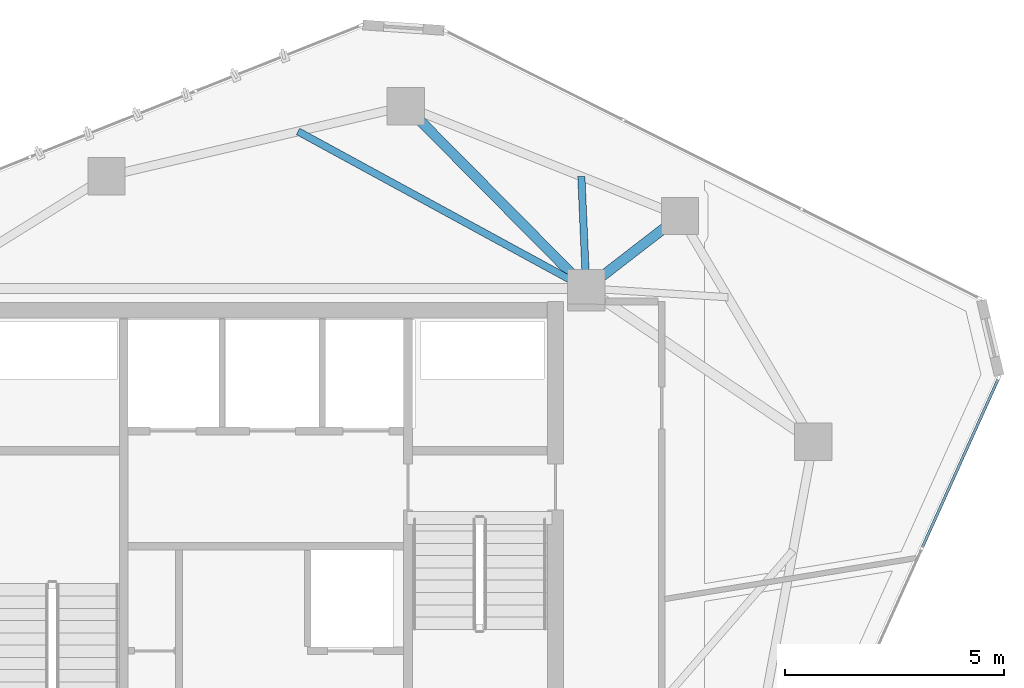
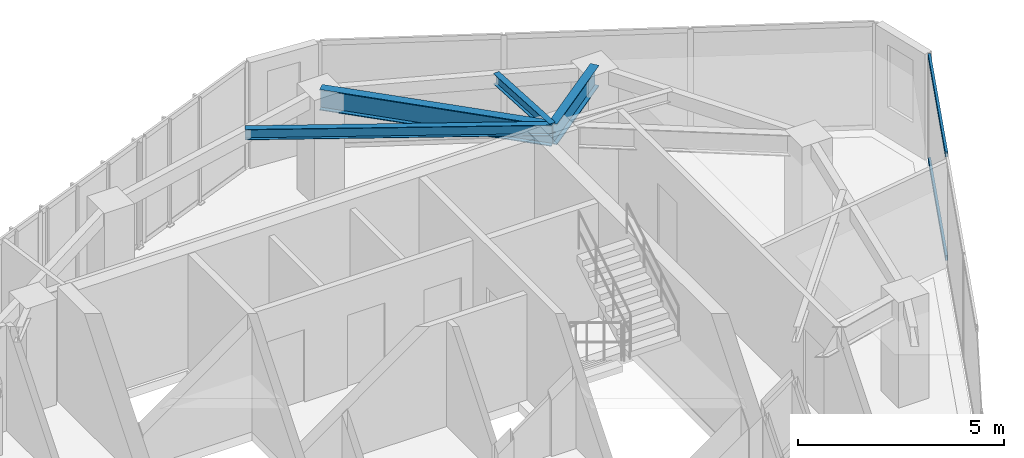
# One storey, part 13 of 20: 4 beams, 2 members, 1 element without a shape of its own.
"""IFC4 building model written with IfcOpenShell, lengths in metres."""

from ifc_helpers import new_model, si_unit, direction, frame, origin, origin_2d, place, context, subcontext, project, spatial, hollow_rectangle, i_section, extrude, source, transform, mapped, material, layer, layer_set, material_profile, profile_set, type_object, type_shapes, element, aggregate, save


model = new_model("IFC4")

# Units and contexts
model_context = context("Model", 3, precision=1e-05, world=origin(), true_north=direction((0.0, 1.0)))
body_context = subcontext(model_context, "Body", "Model", "MODEL_VIEW")
ifc_project = project(units=[si_unit("LENGTHUNIT", "METRE"), si_unit("AREAUNIT", "SQUARE_METRE"), si_unit("VOLUMEUNIT", "CUBIC_METRE"), si_unit("PLANEANGLEUNIT", "RADIAN"), si_unit("MASSUNIT", "GRAM", prefix="KILO")], contexts=[model_context])

# Site, building, storey
site_placement = place(None, origin())
site = spatial("IfcSite", under=ifc_project, at=site_placement, CompositionType="ELEMENT")
building_placement = place(site_placement, origin())
building = spatial("IfcBuilding", under=site, at=building_placement, Name="Talar Marvaseh", CompositionType="ELEMENT")
storey_placement = place(building_placement, frame((0.0, 0.0, 278.199951171875)))
storey = spatial("IfcBuildingStorey", under=building, at=storey_placement, Name="L74", CompositionType="ELEMENT", Elevation=278.199951171875)

# Beams
ifc_material_1 = material(Name="Steel S355", Category="steel")
ifc_material_profile_1 = material_profile(ifc_material_1, i_section(OverallWidth=0.166015625, OverallDepth=0.31298828125, WebThickness=0.006591796875, FlangeThickness=0.01123046875, at=origin_2d()), Name="W310x45")
ifc_profile_set_1 = profile_set([ifc_material_profile_1], Name="Steel S355")
beam_type_1 = type_object("IfcBeamType", Name="Zone 3 Secondary Floor Joist W310x45", PredefinedType="JOIST", material=ifc_profile_set_1)
beam_1_placement = place(storey_placement, frame((26.731689453125, 40.476806640625, 2.983642578125), z_axis=(0.878223458764, -0.478250516442, 0.0), x_axis=(0.478250516442, 0.878223458764, 0.0)))
element("IfcBeam", 1, at=beam_1_placement, inside=storey, type_object=beam_type_1, Name="L74 Zone 3 Secondary Floor Joist W310x45", PredefinedType="JOIST", context=body_context, shape_type="SweptSolid", body=[
    extrude(i_section(OverallWidth=0.166015625, OverallDepth=0.31298828125, WebThickness=0.006591796875, FlangeThickness=0.01123046875, at=origin_2d()), origin(), (0.0, 0.0, 1.0), 7.479248046875),
])
beam_2_placement = place(storey_placement, frame((33.18798828125, 39.451416015625, 2.983642578125), z_axis=(0.043876945448, -0.99903694309, 0.0), x_axis=(0.99903694309, 0.043876945448, 0.0)))
element("IfcBeam", 2, at=beam_2_placement, inside=storey, type_object=beam_type_1, Name="L74 Zone 3 Secondary Floor Joist W310x45", PredefinedType="JOIST", context=body_context, shape_type="SweptSolid", body=[
    extrude(i_section(OverallWidth=0.166015625, OverallDepth=0.31298828125, WebThickness=0.006591796875, FlangeThickness=0.01123046875, at=origin_2d()), origin(), (0.0, 0.0, 1.0), 2.553955078125),
])
ifc_material_profile_2 = material_profile(ifc_material_1, i_section(OverallWidth=0.22998046875, OverallDepth=0.616943359375, WebThickness=0.01318359375, FlangeThickness=0.022216796875, at=origin_2d()), Name="W610x140")
ifc_profile_set_2 = profile_set([ifc_material_profile_2], Name="Steel S355")
beam_type_2 = type_object("IfcBeamType", Name="Zone 4 Radial Floor Girder W610x140", PredefinedType="BEAM", material=ifc_profile_set_2)
beam_3_placement = place(storey_placement, frame((29.18798828125, 41.052001953125, 2.83154296875), z_axis=(0.703672658083, -0.710524306598, 0.0), x_axis=(0.710524306598, 0.703672658083, 0.0)))
element("IfcBeam", 3, at=beam_3_placement, inside=storey, type_object=beam_type_2, Name="L74 Zone 4 Radial Floor Girder W610x140", PredefinedType="BEAM", context=body_context, shape_type="SweptSolid", body=[
    extrude(i_section(OverallWidth=0.22998046875, OverallDepth=0.616943359375, WebThickness=0.01318359375, FlangeThickness=0.022216796875, at=origin_2d()), origin(), (0.0, 0.0, 1.0), 5.84375),
])
beam_4_placement = place(storey_placement, frame((35.43798828125, 38.551025390625, 2.83154296875), z_axis=(-0.791449946636, -0.611233982996, 0.0), x_axis=(0.611233982996, -0.791449946636, 0.0)))
element("IfcBeam", 4, at=beam_4_placement, inside=storey, type_object=beam_type_2, Name="L74 Zone 4 Radial Floor Girder W610x140", PredefinedType="BEAM", context=body_context, shape_type="SweptSolid", body=[
    extrude(i_section(OverallWidth=0.22998046875, OverallDepth=0.616943359375, WebThickness=0.01318359375, FlangeThickness=0.022216796875, at=origin_2d()), origin(), (0.0, 0.0, 1.0), 2.701416015625),
])

# Curtain wall, members
ifc_material_2 = material(Name="Architectural Aluminium", Category="aluminium")
ifc_layer = layer(ifc_material_2, 0.179931640625)
ifc_layer_set = layer_set([ifc_layer], Name="Architectural Aluminium")
curtain_wall_type = type_object("IfcCurtainWallType", Name="Unitised High-Wind Sky Curtain Wall Z4", PredefinedType="NOTDEFINED", material=ifc_layer_set)
curtain_wall_placement = place(storey_placement, origin())
curtain_wall = element("IfcCurtainWall", 5, at=curtain_wall_placement, inside=storey, type_object=curtain_wall_type, Name="L74 Unitised High-Wind Sky Curtain Wall Z4", PredefinedType="NOTDEFINED")
ifc_material_profile_3 = material_profile(ifc_material_2, hollow_rectangle(XDim=0.06494140625, YDim=0.14990234375, WallThickness=0.00390625, at=origin_2d()), Name="RHS150x65x4")
ifc_profile_set_3 = profile_set([ifc_material_profile_3], Name="Architectural Aluminium")
member_type = type_object("IfcMemberType", Name="Unitised Curtain Wall Slim Transom RHS150x65x4", PredefinedType="USERDEFINED", material=ifc_profile_set_3)
shared_shape = source(origin(), body_context, "Body", "SweptSolid", [
    extrude(hollow_rectangle(XDim=0.06494140625, YDim=0.14990234375, WallThickness=0.00390625, at=origin_2d()), origin(), (0.0, 0.0, 1.0), 4.188720703125),
])
type_shapes(member_type, [shared_shape])
member_1_placement = place(storey_placement, frame((42.68017578125, 34.81982421875, 0.032470703125), z_axis=(-0.410902612606, -0.911679243459, 0.0), x_axis=(0.911679243459, -0.410902612606, 0.0)))
member_1 = element("IfcMember", 6, at=member_1_placement, type_object=member_type, Name="CW-Z4 transom 1.1", ObjectType="TRANSOM", PredefinedType="USERDEFINED", context=body_context, shape_type="MappedRepresentation", body=[
    mapped(shared_shape, transform((0.0, 0.0, 0.0), x_axis=(1.0, 0.0, 0.0), y_axis=(0.0, 1.0, 0.0), z_axis=(0.0, 0.0, 1.0), scale=1.0)),
])
member_2_placement = place(storey_placement, frame((42.68017578125, 34.81982421875, 3.107666015625), z_axis=(-0.410902612606, -0.911679243459, 0.0), x_axis=(0.911679243459, -0.410902612606, 0.0)))
member_2 = element("IfcMember", 7, at=member_2_placement, type_object=member_type, Name="CW-Z4 transom 1.2", ObjectType="TRANSOM", PredefinedType="USERDEFINED", context=body_context, shape_type="MappedRepresentation", body=[
    mapped(shared_shape, transform((0.0, 0.0, 0.0), x_axis=(1.0, 0.0, 0.0), y_axis=(0.0, 1.0, 0.0), z_axis=(0.0, 0.0, 1.0), scale=1.0)),
])
aggregate(curtain_wall, [member_1, member_2])

save(model, "model.ifc")
